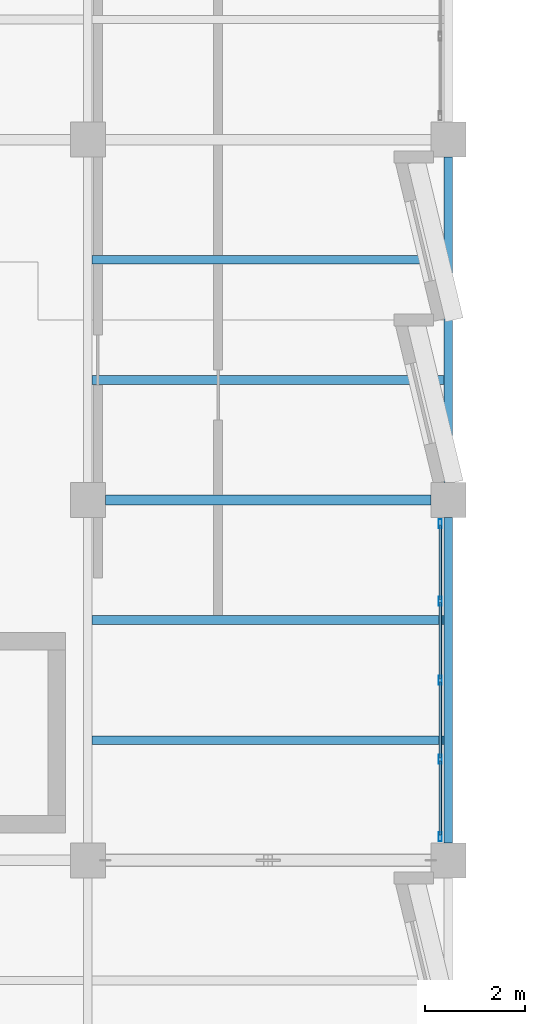
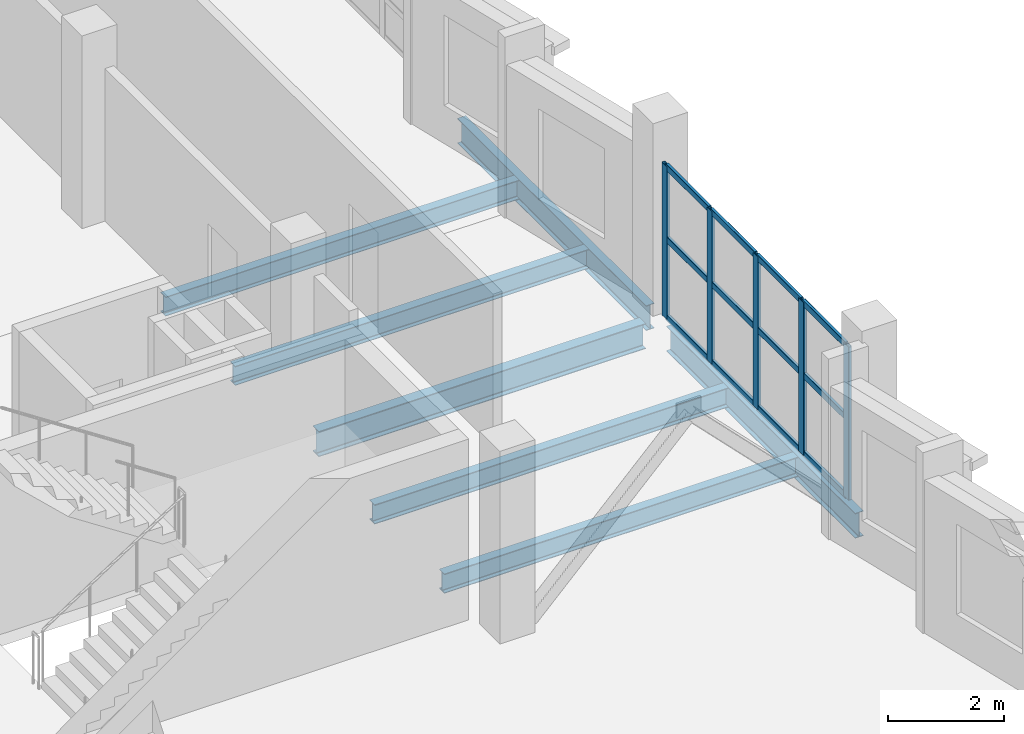
# One storey, part 13 of 33: 17 members, 7 beams, 1 element without a shape of its own.
"""IFC4 building model written with IfcOpenShell, lengths in metres."""

from ifc_helpers import new_model, si_unit, direction, frame, origin, origin_2d, place, context, subcontext, project, spatial, hollow_rectangle, i_section, extrude, material, material_profile, profile_set, type_object, element, aggregate, save


model = new_model("IFC4")

# Units and contexts
model_context = context("Model", 3, precision=1e-05, world=origin(), true_north=direction((0.0, 1.0)))
body_context = subcontext(model_context, "Body", "Model", "MODEL_VIEW")
ifc_project = project(units=[si_unit("LENGTHUNIT", "METRE"), si_unit("AREAUNIT", "SQUARE_METRE"), si_unit("VOLUMEUNIT", "CUBIC_METRE"), si_unit("PLANEANGLEUNIT", "RADIAN"), si_unit("MASSUNIT", "GRAM", prefix="KILO")], contexts=[model_context])

# Site, building, storey
site_placement = place(None, origin())
site = spatial("IfcSite", under=ifc_project, at=site_placement, CompositionType="ELEMENT")
building_placement = place(site_placement, origin())
building = spatial("IfcBuilding", under=site, at=building_placement, Name="Kalmorath City Hall", CompositionType="ELEMENT")
storey_placement = place(building_placement, frame((0.0, 0.0, 22.949951171875)))
storey = spatial("IfcBuildingStorey", under=building, at=storey_placement, Name="L05", CompositionType="ELEMENT", Elevation=22.949951171875)

# Curtain wall, members
ifc_material_1 = material(Name="Anodised aluminium and laminated glass", Category="aluminium")
curtain_wall_type = type_object("IfcCurtainWallType", Name="Unitised hurricane curtain wall 6320x3216 M1450", PredefinedType="NOTDEFINED", material=ifc_material_1)
curtain_wall_placement = place(storey_placement, origin())
curtain_wall = element("IfcCurtainWall", 1, at=curtain_wall_placement, inside=storey, type_object=curtain_wall_type, Name="L05 curtain wall CW-63X32M14 #172", PredefinedType="NOTDEFINED")
ifc_material_2 = material(Name="Anodised aluminium framing", Category="aluminium")
ifc_material_profile_1 = material_profile(ifc_material_2, hollow_rectangle(XDim=0.06494140625, YDim=0.179931640625, WallThickness=0.00390625, InnerFilletRadius=0.00390625, OuterFilletRadius=0.008056640625, at=origin_2d()), Name="ALU-MUL-180X65X4")
ifc_profile_set_1 = profile_set([ifc_material_profile_1], Name="Anodised aluminium framing")
member_type_1 = type_object("IfcMemberType", Name="Curtain-wall courtyard mullion 180x65", PredefinedType="MULLION", material=ifc_profile_set_1)
member_1_placement = place(storey_placement, frame((21.43994140625, 57.12744140625, 0.0), z_axis=(0.0, 0.0, 1.0), x_axis=(1.0, 0.0, 0.0)))
member_1 = element("IfcMember", 2, at=member_1_placement, type_object=member_type_1, Name="CW-63X32M14 mullion 1", PredefinedType="MULLION", context=body_context, shape_type="SweptSolid", body=[
    extrude(hollow_rectangle(XDim=0.06494140625, YDim=0.179931640625, WallThickness=0.00390625, InnerFilletRadius=0.00390625, OuterFilletRadius=0.008056640625, at=origin_2d()), origin(), (0.0, 0.0, 1.0), 3.216064453125),
])
member_2_placement = place(storey_placement, frame((21.43994140625, 55.580078125, 0.0), z_axis=(0.0, 0.0, 1.0), x_axis=(1.0, 0.0, 0.0)))
member_2 = element("IfcMember", 3, at=member_2_placement, type_object=member_type_1, Name="CW-63X32M14 mullion 2", PredefinedType="MULLION", context=body_context, shape_type="SweptSolid", body=[
    extrude(hollow_rectangle(XDim=0.06494140625, YDim=0.179931640625, WallThickness=0.00390625, InnerFilletRadius=0.00390625, OuterFilletRadius=0.008056640625, at=origin_2d()), origin(), (0.0, 0.0, 1.0), 3.216064453125),
])
member_3_placement = place(storey_placement, frame((21.43994140625, 54.0, 0.0), z_axis=(0.0, 0.0, 1.0), x_axis=(1.0, 0.0, 0.0)))
member_3 = element("IfcMember", 4, at=member_3_placement, type_object=member_type_1, Name="CW-63X32M14 mullion 3", PredefinedType="MULLION", context=body_context, shape_type="SweptSolid", body=[
    extrude(hollow_rectangle(XDim=0.06494140625, YDim=0.179931640625, WallThickness=0.00390625, InnerFilletRadius=0.00390625, OuterFilletRadius=0.008056640625, at=origin_2d()), origin(), (0.0, 0.0, 1.0), 3.216064453125),
])
member_4_placement = place(storey_placement, frame((21.43994140625, 52.419921875, 0.0), z_axis=(0.0, 0.0, 1.0), x_axis=(1.0, 0.0, 0.0)))
member_4 = element("IfcMember", 5, at=member_4_placement, type_object=member_type_1, Name="CW-63X32M14 mullion 4", PredefinedType="MULLION", context=body_context, shape_type="SweptSolid", body=[
    extrude(hollow_rectangle(XDim=0.06494140625, YDim=0.179931640625, WallThickness=0.00390625, InnerFilletRadius=0.00390625, OuterFilletRadius=0.008056640625, at=origin_2d()), origin(), (0.0, 0.0, 1.0), 3.216064453125),
])
member_5_placement = place(storey_placement, frame((21.43994140625, 50.87255859375, 0.0), z_axis=(0.0, 0.0, 1.0), x_axis=(1.0, 0.0, 0.0)))
member_5 = element("IfcMember", 6, at=member_5_placement, type_object=member_type_1, Name="CW-63X32M14 mullion 5", PredefinedType="MULLION", context=body_context, shape_type="SweptSolid", body=[
    extrude(hollow_rectangle(XDim=0.06494140625, YDim=0.179931640625, WallThickness=0.00390625, InnerFilletRadius=0.00390625, OuterFilletRadius=0.008056640625, at=origin_2d()), origin(), (0.0, 0.0, 1.0), 3.216064453125),
])
ifc_material_3 = material(Name="Anodised aluminium framing", Category="aluminium")
ifc_material_profile_2 = material_profile(ifc_material_3, hollow_rectangle(XDim=0.06005859375, YDim=0.1298828125, WallThickness=0.00341796875, InnerFilletRadius=0.00341796875, OuterFilletRadius=0.007080078125, at=origin_2d()), Name="ALU-TRN-130X60X3.5")
ifc_profile_set_2 = profile_set([ifc_material_profile_2], Name="Anodised aluminium framing")
member_type_2 = type_object("IfcMemberType", Name="Curtain-wall courtyard transom 130x60", PredefinedType="USERDEFINED", material=ifc_profile_set_2)
member_6_placement = place(storey_placement, frame((21.43994140625, 57.094970703125, 0.030029296875), z_axis=(0.0, -1.0, 0.0), x_axis=(1.0, 0.0, 0.0)))
member_6 = element("IfcMember", 7, at=member_6_placement, type_object=member_type_2, Name="CW-63X32M14 transom 1.1", ObjectType="TRANSOM", PredefinedType="USERDEFINED", context=body_context, shape_type="SweptSolid", body=[
    extrude(hollow_rectangle(XDim=0.06005859375, YDim=0.1298828125, WallThickness=0.00341796875, InnerFilletRadius=0.00341796875, OuterFilletRadius=0.007080078125, at=origin_2d()), origin(), (0.0, 0.0, 1.0), 1.482421875),
])
member_7_placement = place(storey_placement, frame((21.43994140625, 57.094970703125, 1.672119140625), z_axis=(0.0, -1.0, 0.0), x_axis=(1.0, 0.0, 0.0)))
member_7 = element("IfcMember", 8, at=member_7_placement, type_object=member_type_2, Name="CW-63X32M14 transom 1.2", ObjectType="TRANSOM", PredefinedType="USERDEFINED", context=body_context, shape_type="SweptSolid", body=[
    extrude(hollow_rectangle(XDim=0.06005859375, YDim=0.1298828125, WallThickness=0.00341796875, InnerFilletRadius=0.00341796875, OuterFilletRadius=0.007080078125, at=origin_2d()), origin(), (0.0, 0.0, 1.0), 1.482421875),
])
member_8_placement = place(storey_placement, frame((21.43994140625, 57.094970703125, 3.18603515625), z_axis=(0.0, -1.0, 0.0), x_axis=(1.0, 0.0, 0.0)))
member_8 = element("IfcMember", 9, at=member_8_placement, type_object=member_type_2, Name="CW-63X32M14 transom 1.3", ObjectType="TRANSOM", PredefinedType="USERDEFINED", context=body_context, shape_type="SweptSolid", body=[
    extrude(hollow_rectangle(XDim=0.06005859375, YDim=0.1298828125, WallThickness=0.00341796875, InnerFilletRadius=0.00341796875, OuterFilletRadius=0.007080078125, at=origin_2d()), origin(), (0.0, 0.0, 1.0), 1.482421875),
])
member_9_placement = place(storey_placement, frame((21.43994140625, 55.547607421875, 0.030029296875), z_axis=(0.0, -1.0, 0.0), x_axis=(1.0, 0.0, 0.0)))
member_9 = element("IfcMember", 10, at=member_9_placement, type_object=member_type_2, Name="CW-63X32M14 transom 2.1", ObjectType="TRANSOM", PredefinedType="USERDEFINED", context=body_context, shape_type="SweptSolid", body=[
    extrude(hollow_rectangle(XDim=0.06005859375, YDim=0.1298828125, WallThickness=0.00341796875, InnerFilletRadius=0.00341796875, OuterFilletRadius=0.007080078125, at=origin_2d()), origin(), (0.0, 0.0, 1.0), 1.51513671875),
])
member_10_placement = place(storey_placement, frame((21.43994140625, 55.547607421875, 1.672119140625), z_axis=(0.0, -1.0, 0.0), x_axis=(1.0, 0.0, 0.0)))
member_10 = element("IfcMember", 11, at=member_10_placement, type_object=member_type_2, Name="CW-63X32M14 transom 2.2", ObjectType="TRANSOM", PredefinedType="USERDEFINED", context=body_context, shape_type="SweptSolid", body=[
    extrude(hollow_rectangle(XDim=0.06005859375, YDim=0.1298828125, WallThickness=0.00341796875, InnerFilletRadius=0.00341796875, OuterFilletRadius=0.007080078125, at=origin_2d()), origin(), (0.0, 0.0, 1.0), 1.51513671875),
])
member_11_placement = place(storey_placement, frame((21.43994140625, 55.547607421875, 3.18603515625), z_axis=(0.0, -1.0, 0.0), x_axis=(1.0, 0.0, 0.0)))
member_11 = element("IfcMember", 12, at=member_11_placement, type_object=member_type_2, Name="CW-63X32M14 transom 2.3", ObjectType="TRANSOM", PredefinedType="USERDEFINED", context=body_context, shape_type="SweptSolid", body=[
    extrude(hollow_rectangle(XDim=0.06005859375, YDim=0.1298828125, WallThickness=0.00341796875, InnerFilletRadius=0.00341796875, OuterFilletRadius=0.007080078125, at=origin_2d()), origin(), (0.0, 0.0, 1.0), 1.51513671875),
])
member_12_placement = place(storey_placement, frame((21.43994140625, 53.967529296875, 0.030029296875), z_axis=(0.0, -1.0, 0.0), x_axis=(1.0, 0.0, 0.0)))
member_12 = element("IfcMember", 13, at=member_12_placement, type_object=member_type_2, Name="CW-63X32M14 transom 3.1", ObjectType="TRANSOM", PredefinedType="USERDEFINED", context=body_context, shape_type="SweptSolid", body=[
    extrude(hollow_rectangle(XDim=0.06005859375, YDim=0.1298828125, WallThickness=0.00341796875, InnerFilletRadius=0.00341796875, OuterFilletRadius=0.007080078125, at=origin_2d()), origin(), (0.0, 0.0, 1.0), 1.51513671875),
])
member_13_placement = place(storey_placement, frame((21.43994140625, 53.967529296875, 1.672119140625), z_axis=(0.0, -1.0, 0.0), x_axis=(1.0, 0.0, 0.0)))
member_13 = element("IfcMember", 14, at=member_13_placement, type_object=member_type_2, Name="CW-63X32M14 transom 3.2", ObjectType="TRANSOM", PredefinedType="USERDEFINED", context=body_context, shape_type="SweptSolid", body=[
    extrude(hollow_rectangle(XDim=0.06005859375, YDim=0.1298828125, WallThickness=0.00341796875, InnerFilletRadius=0.00341796875, OuterFilletRadius=0.007080078125, at=origin_2d()), origin(), (0.0, 0.0, 1.0), 1.51513671875),
])
member_14_placement = place(storey_placement, frame((21.43994140625, 53.967529296875, 3.18603515625), z_axis=(0.0, -1.0, 0.0), x_axis=(1.0, 0.0, 0.0)))
member_14 = element("IfcMember", 15, at=member_14_placement, type_object=member_type_2, Name="CW-63X32M14 transom 3.3", ObjectType="TRANSOM", PredefinedType="USERDEFINED", context=body_context, shape_type="SweptSolid", body=[
    extrude(hollow_rectangle(XDim=0.06005859375, YDim=0.1298828125, WallThickness=0.00341796875, InnerFilletRadius=0.00341796875, OuterFilletRadius=0.007080078125, at=origin_2d()), origin(), (0.0, 0.0, 1.0), 1.51513671875),
])
member_15_placement = place(storey_placement, frame((21.43994140625, 52.387451171875, 0.030029296875), z_axis=(0.0, -1.0, 0.0), x_axis=(1.0, 0.0, 0.0)))
member_15 = element("IfcMember", 16, at=member_15_placement, type_object=member_type_2, Name="CW-63X32M14 transom 4.1", ObjectType="TRANSOM", PredefinedType="USERDEFINED", context=body_context, shape_type="SweptSolid", body=[
    extrude(hollow_rectangle(XDim=0.06005859375, YDim=0.1298828125, WallThickness=0.00341796875, InnerFilletRadius=0.00341796875, OuterFilletRadius=0.007080078125, at=origin_2d()), origin(), (0.0, 0.0, 1.0), 1.482421875),
])
member_16_placement = place(storey_placement, frame((21.43994140625, 52.387451171875, 1.672119140625), z_axis=(0.0, -1.0, 0.0), x_axis=(1.0, 0.0, 0.0)))
member_16 = element("IfcMember", 17, at=member_16_placement, type_object=member_type_2, Name="CW-63X32M14 transom 4.2", ObjectType="TRANSOM", PredefinedType="USERDEFINED", context=body_context, shape_type="SweptSolid", body=[
    extrude(hollow_rectangle(XDim=0.06005859375, YDim=0.1298828125, WallThickness=0.00341796875, InnerFilletRadius=0.00341796875, OuterFilletRadius=0.007080078125, at=origin_2d()), origin(), (0.0, 0.0, 1.0), 1.482421875),
])
member_17_placement = place(storey_placement, frame((21.43994140625, 52.387451171875, 3.18603515625), z_axis=(0.0, -1.0, 0.0), x_axis=(1.0, 0.0, 0.0)))
member_17 = element("IfcMember", 18, at=member_17_placement, type_object=member_type_2, Name="CW-63X32M14 transom 4.3", ObjectType="TRANSOM", PredefinedType="USERDEFINED", context=body_context, shape_type="SweptSolid", body=[
    extrude(hollow_rectangle(XDim=0.06005859375, YDim=0.1298828125, WallThickness=0.00341796875, InnerFilletRadius=0.00341796875, OuterFilletRadius=0.007080078125, at=origin_2d()), origin(), (0.0, 0.0, 1.0), 1.482421875),
])
aggregate(curtain_wall, [member_1, member_2, member_3, member_4, member_5, member_6, member_7, member_8, member_9, member_10, member_11, member_12, member_13, member_14, member_15, member_16, member_17])

# Beams
ifc_material_4 = material(Name="Steel ASTM A992 Grade 50", Category="steel")
ifc_material_profile_3 = material_profile(ifc_material_4, i_section(OverallWidth=0.177001953125, OverallDepth=0.403076171875, WebThickness=0.007568359375, FlangeThickness=0.010986328125, FilletRadius=0.012939453125, at=origin_2d()), Name="W16X36")
ifc_profile_set_3 = profile_set([ifc_material_profile_3], Name="Steel ASTM A992 Grade 50")
beam_type_1 = type_object("IfcBeamType", Name="Steel composite joist W16X36", PredefinedType="JOIST", material=ifc_profile_set_3)
for number, where, z_axis, x_axis, name in (
    (19, (14.4833984375, 60.0, -0.495361328125), (1.0, 0.0, 0.0), (0.0, 1.0, 0.0), "L05 joist SJ7 3.9.1"),
    (20, (14.4833984375, 62.39990234375, -0.495361328125), (1.0, 0.0, 0.0), (0.0, 1.0, 0.0), "L05 joist SJ7 3.9.2"),
):
    element("IfcBeam", number, at=place(storey_placement, frame(where, z_axis=z_axis, x_axis=x_axis)), inside=storey, type_object=beam_type_1, Name=name, PredefinedType="JOIST", context=body_context, shape_type="SweptSolid", body=[
        extrude(i_section(OverallWidth=0.177001953125, OverallDepth=0.403076171875, WebThickness=0.007568359375, FlangeThickness=0.010986328125, FilletRadius=0.012939453125, at=origin_2d()), origin(), (0.0, 0.0, 1.0), 7.0341796875),
    ])
ifc_material_5 = material(Name="Steel ASTM A992 Grade 50", Category="steel")
ifc_material_profile_4 = material_profile(ifc_material_5, i_section(OverallWidth=0.178955078125, OverallDepth=0.409912109375, WebThickness=0.0087890625, FlangeThickness=0.014404296875, FilletRadius=0.012939453125, at=origin_2d()), Name="W16X45")
ifc_profile_set_4 = profile_set([ifc_material_profile_4], Name="Steel ASTM A992 Grade 50")
beam_type_2 = type_object("IfcBeamType", Name="Steel composite joist W16X45", PredefinedType="JOIST", material=ifc_profile_set_4)
for number, where, z_axis, x_axis, name in (
    (21, (14.4833984375, 52.800048828125, -0.4990234375), (1.0, 0.0, 0.0), (0.0, 1.0, 0.0), "L05 joist SJ6 3.8.1"),
    (22, (14.4833984375, 55.199951171875, -0.4990234375), (1.0, 0.0, 0.0), (0.0, 1.0, 0.0), "L05 joist SJ6 3.8.2"),
):
    element("IfcBeam", number, at=place(storey_placement, frame(where, z_axis=z_axis, x_axis=x_axis)), inside=storey, type_object=beam_type_2, Name=name, PredefinedType="JOIST", context=body_context, shape_type="SweptSolid", body=[
        extrude(i_section(OverallWidth=0.178955078125, OverallDepth=0.409912109375, WebThickness=0.0087890625, FlangeThickness=0.014404296875, FilletRadius=0.012939453125, at=origin_2d()), origin(), (0.0, 0.0, 1.0), 7.0341796875),
    ])
ifc_material_6 = material(Name="Steel ASTM A992 Grade 50", Category="steel")
ifc_material_profile_5 = material_profile(ifc_material_6, i_section(OverallWidth=0.208984375, OverallDepth=0.532958984375, WebThickness=0.01025390625, FlangeThickness=0.015625, FilletRadius=0.014892578125, at=origin_2d()), Name="W21X62")
ifc_profile_set_5 = profile_set([ifc_material_profile_5], Name="Steel ASTM A992 Grade 50")
beam_type_3 = type_object("IfcBeamType", Name="Steel floor beam W21X62", PredefinedType="BEAM", material=ifc_profile_set_5)
beam_placement = place(storey_placement, frame((14.75, 57.60009765625, -0.560546875), z_axis=(1.0, 0.0, 0.0), x_axis=(0.0, 1.0, 0.0)))
element("IfcBeam", 23, at=beam_placement, inside=storey, type_object=beam_type_3, Name="L05 girder SB2 X3-4/9", PredefinedType="BEAM", context=body_context, shape_type="SweptSolid", body=[
    extrude(i_section(OverallWidth=0.208984375, OverallDepth=0.532958984375, WebThickness=0.01025390625, FlangeThickness=0.015625, FilletRadius=0.014892578125, at=origin_2d()), origin(), (0.0, 0.0, 1.0), 6.5),
])
ifc_material_7 = material(Name="Steel ASTM A992 Grade 50", Category="steel")
ifc_material_profile_6 = material_profile(ifc_material_7, i_section(OverallWidth=0.1650390625, OverallDepth=0.52490234375, WebThickness=0.0087890625, FlangeThickness=0.011474609375, FilletRadius=0.014892578125, at=origin_2d()), Name="W21X44")
ifc_profile_set_6 = profile_set([ifc_material_profile_6], Name="Steel ASTM A992 Grade 50")
beam_type_4 = type_object("IfcBeamType", Name="Steel spandrel beam W21X44", PredefinedType="SPANDREL", material=ifc_profile_set_6)
for number, where, z_axis, x_axis, name in (
    (24, (21.60009765625, 50.75, -0.556396484375), (0.0, 1.0, 0.0), (-1.0, 0.0, 0.0), "L05 girder SB4 Y4/8-9"),
    (25, (21.60009765625, 57.949951171875, -0.556396484375), (0.0, 1.0, 0.0), (-1.0, 0.0, 0.0), "L05 girder SB4 Y4/9-10"),
):
    element("IfcBeam", number, at=place(storey_placement, frame(where, z_axis=z_axis, x_axis=x_axis)), inside=storey, type_object=beam_type_4, Name=name, PredefinedType="SPANDREL", context=body_context, shape_type="SweptSolid", body=[
        extrude(i_section(OverallWidth=0.1650390625, OverallDepth=0.52490234375, WebThickness=0.0087890625, FlangeThickness=0.011474609375, FilletRadius=0.014892578125, at=origin_2d()), origin(), (0.0, 0.0, 1.0), 6.5),
    ])

save(model, "model.ifc")
